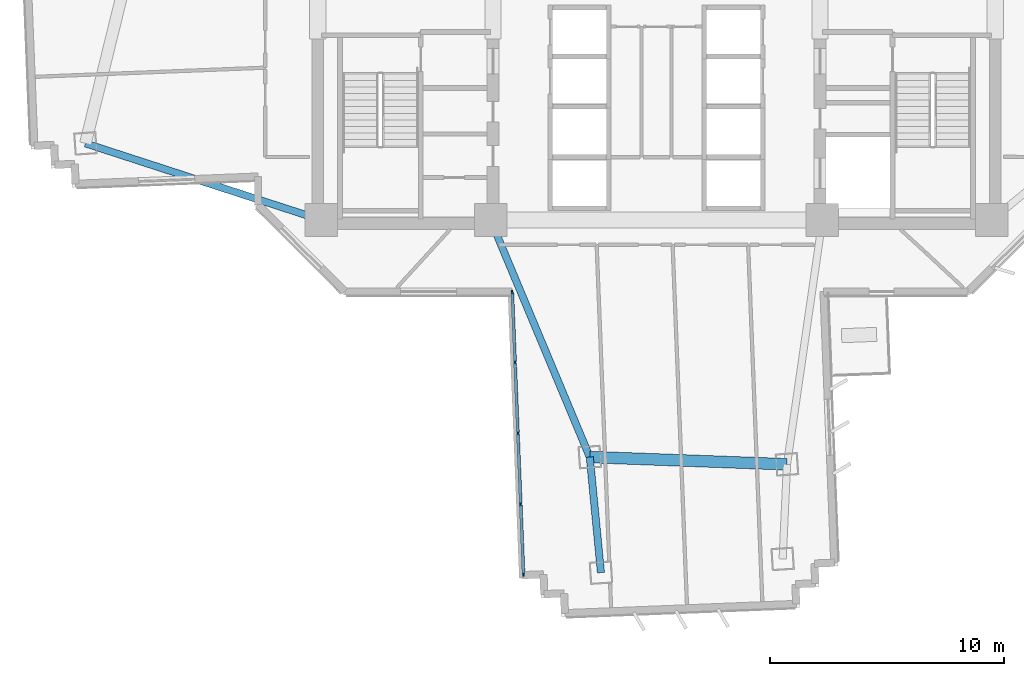
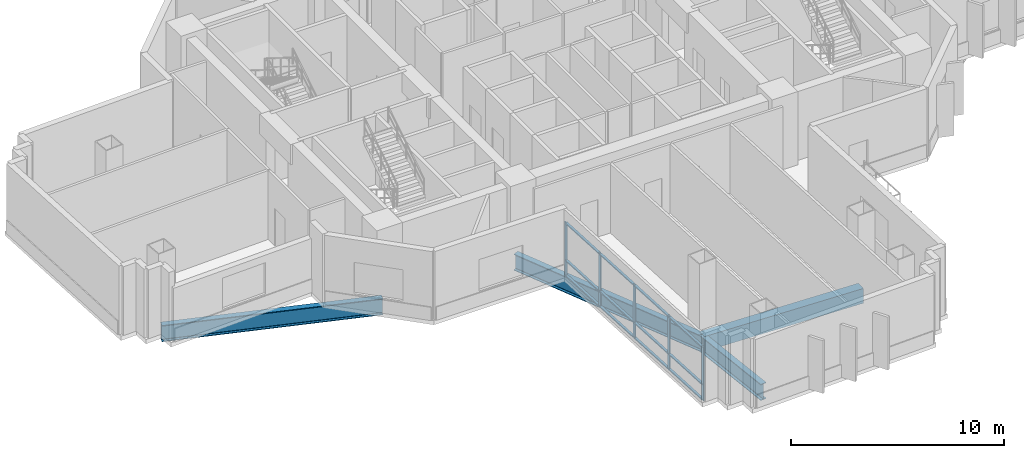
# One storey, part 2 of 16: 17 members, 4 beams, 1 element without a shape of its own.
"""IFC4 building model written with IfcOpenShell, lengths in metres."""

from ifc_helpers import new_model, si_unit, direction, frame, origin, origin_2d, place, context, subcontext, project, spatial, rectangle, i_section, extrude, source, transform, mapped, material, layer, layer_set, material_profile, profile_set, type_object, element, aggregate, save


model = new_model("IFC4")

# Units and contexts
model_context = context("Model", 3, precision=1e-05, world=origin(), true_north=direction((0.0, 1.0)))
body_context = subcontext(model_context, "Body", "Model", "MODEL_VIEW")
ifc_project = project(units=[si_unit("LENGTHUNIT", "METRE"), si_unit("AREAUNIT", "SQUARE_METRE"), si_unit("VOLUMEUNIT", "CUBIC_METRE"), si_unit("PLANEANGLEUNIT", "RADIAN"), si_unit("MASSUNIT", "GRAM", prefix="KILO")], contexts=[model_context])

# Site, building, storey
site_placement = place(None, origin())
site = spatial("IfcSite", under=ifc_project, at=site_placement, CompositionType="ELEMENT")
building_placement = place(site_placement, origin())
building = spatial("IfcBuilding", under=site, at=building_placement, Name="Zahravan Cultural Tower", CompositionType="ELEMENT")
storey_placement = place(building_placement, frame((0.0, 0.0, 62.699951171875)))
storey = spatial("IfcBuildingStorey", under=building, at=storey_placement, Name="L13", CompositionType="ELEMENT", Elevation=62.699951171875)

# Beams
ifc_material_1 = material(Name="Steel ASTM A992 Grade 50", Category="steel")
ifc_material_profile_1 = material_profile(ifc_material_1, i_section(OverallWidth=0.30908203125, OverallDepth=0.931884765625, WebThickness=0.02099609375, FlangeThickness=0.034423828125, FilletRadius=0.02392578125, at=origin_2d()), Name="W36X210")
ifc_profile_set_1 = profile_set([ifc_material_profile_1], Name="Steel ASTM A992 Grade 50")
beam_type_1 = type_object("IfcBeamType", Name="BM-G-W36X210", PredefinedType="BEAM", material=ifc_profile_set_1)
shared_shape_1 = source(origin(), body_context, "Body", "SweptSolid", [
    extrude(i_section(OverallWidth=0.30908203125, OverallDepth=0.931884765625, WebThickness=0.02099609375, FlangeThickness=0.034423828125, FilletRadius=0.02392578125, at=origin_2d()), origin(), (0.0, 0.0, 1.0), 10.615966796875),
])
beam_1_placement = place(storey_placement, frame((21.64990234375, 17.800048828125, -0.716064453125), z_axis=(-0.951063640083, 0.30899506875, 0.0), x_axis=(-0.30899506875, -0.951063640083, 0.0)))
element("IfcBeam", 1, at=beam_1_placement, inside=storey, type_object=beam_type_1, Name="L13 Beam BG-L13-07", PredefinedType="BEAM", context=body_context, shape_type="MappedRepresentation", body=[
    mapped(shared_shape_1, transform((0.0, 0.0, 0.0), x_axis=(1.0, 0.0, 0.0), y_axis=(0.0, 1.0, 0.0), z_axis=(0.0, 0.0, 1.0), scale=1.0)),
])
shared_shape_2 = source(origin(), body_context, "Body", "SweptSolid", [
    extrude(i_section(OverallWidth=0.30908203125, OverallDepth=0.931884765625, WebThickness=0.02099609375, FlangeThickness=0.034423828125, FilletRadius=0.02392578125, at=origin_2d()), origin(), (0.0, 0.0, 1.0), 10.997802734375),
])
beam_2_placement = place(storey_placement, frame((28.89990234375, 17.800048828125, -0.716064453125), z_axis=(0.385775211449, -0.922592806297, 0.0), x_axis=(0.922592806297, 0.385775211449, 0.0)))
element("IfcBeam", 2, at=beam_2_placement, inside=storey, type_object=beam_type_1, Name="L13 Beam BG-L13-08", PredefinedType="BEAM", context=body_context, shape_type="MappedRepresentation", body=[
    mapped(shared_shape_2, transform((0.0, 0.0, 0.0), x_axis=(1.0, 0.0, 0.0), y_axis=(0.0, 1.0, 0.0), z_axis=(0.0, 0.0, 1.0), scale=1.0)),
])
shared_shape_3 = source(origin(), body_context, "Body", "SweptSolid", [
    extrude(i_section(OverallWidth=0.30908203125, OverallDepth=0.931884765625, WebThickness=0.02099609375, FlangeThickness=0.034423828125, FilletRadius=0.02392578125, at=origin_2d()), origin(), (0.0, 0.0, 1.0), 4.973876953125),
])
beam_3_placement = place(storey_placement, frame((33.142578125, 7.653564453125, -0.716064453125), z_axis=(0.096154779131, -0.995366394073, 0.0), x_axis=(0.995366394073, 0.096154779131, 0.0)))
element("IfcBeam", 3, at=beam_3_placement, inside=storey, type_object=beam_type_1, Name="L13 Beam BG-L13-17", PredefinedType="BEAM", context=body_context, shape_type="MappedRepresentation", body=[
    mapped(shared_shape_3, transform((0.0, 0.0, 0.0), x_axis=(1.0, 0.0, 0.0), y_axis=(0.0, 1.0, 0.0), z_axis=(0.0, 0.0, 1.0), scale=1.0)),
])
ifc_material_2 = material(Name="Concrete C50/60", Category="concrete")
ifc_material_profile_2 = material_profile(ifc_material_2, rectangle(XDim=0.5, YDim=0.85009765625, at=origin_2d()), Name="RC500X850")
ifc_profile_set_2 = profile_set([ifc_material_profile_2], Name="Concrete C50/60")
beam_type_2 = type_object("IfcBeamType", Name="BM-SP-RC500X850", PredefinedType="SPANDREL", material=ifc_profile_set_2)
shared_shape_4 = source(origin(), body_context, "Body", "SweptSolid", [
    extrude(rectangle(XDim=0.5, YDim=0.85009765625, at=origin_2d()), origin(), (0.0, 0.0, 1.0), 8.4482421875),
])
beam_4_placement = place(storey_placement, frame((33.142578125, 7.653564453125, -0.675048828125), z_axis=(0.999318826256, -0.036903705643, 0.0), x_axis=(0.036903705643, 0.999318826256, 0.0)))
element("IfcBeam", 4, at=beam_4_placement, inside=storey, type_object=beam_type_2, Name="L13 Beam SP-L13-19", PredefinedType="SPANDREL", context=body_context, shape_type="MappedRepresentation", body=[
    mapped(shared_shape_4, transform((0.0, 0.0, 0.0), x_axis=(1.0, 0.0, 0.0), y_axis=(0.0, 1.0, 0.0), z_axis=(0.0, 0.0, 1.0), scale=1.0)),
])

# Curtain wall, members
ifc_material_3 = material(Name="Anodised bronze-aluminium mullion", Category="aluminium")
ifc_layer = layer(ifc_material_3, 0.1650390625)
ifc_layer_set = layer_set([ifc_layer], Name="Anodised bronze-aluminium mullion")
curtain_wall_type = type_object("IfcCurtainWallType", Name="CW-SYS-4", PredefinedType="USERDEFINED", material=ifc_layer_set)
curtain_wall_placement = place(storey_placement, origin())
curtain_wall = element("IfcCurtainWall", 5, at=curtain_wall_placement, inside=storey, type_object=curtain_wall_type, Name="L13 Recessed Curtain Wall CW-4.1", ObjectType="RECESSED GLAZING", PredefinedType="USERDEFINED")
ifc_material_profile_3 = material_profile(ifc_material_3, rectangle(XDim=0.06494140625, YDim=0.1650390625, at=origin_2d()), Name="AL-M65X165")
ifc_profile_set_3 = profile_set([ifc_material_profile_3], Name="Anodised bronze-aluminium mullion")
member_type_1 = type_object("IfcMemberType", Name="CWM-CW-4", PredefinedType="MULLION", material=ifc_profile_set_3)
shared_shape_5 = source(origin(), body_context, "Body", "SweptSolid", [
    extrude(rectangle(XDim=0.06494140625, YDim=0.1650390625, at=origin_2d()), origin(), (0.0, 0.0, 1.0), 3.070068359375),
])
member_1_placement = place(storey_placement, frame((30.30517578125, 2.626708984375, 0.0), z_axis=(0.0, 0.0, 1.0), x_axis=(-0.99920827504, -0.039784709273, 0.0)))
member_1 = element("IfcMember", 6, at=member_1_placement, type_object=member_type_1, Name="CW-4 mullion 1", PredefinedType="MULLION", context=body_context, shape_type="MappedRepresentation", body=[
    mapped(shared_shape_5, transform((0.0, 0.0, 0.0), x_axis=(1.0, 0.0, 0.0), y_axis=(0.0, 1.0, 0.0), z_axis=(0.0, 0.0, 1.0), scale=1.0)),
])
member_2_placement = place(storey_placement, frame((30.185546875, 5.630615234375, 0.0), z_axis=(0.0, 0.0, 1.0), x_axis=(-0.99920827504, -0.039784709273, 0.0)))
member_2 = element("IfcMember", 7, at=member_2_placement, type_object=member_type_1, Name="CW-4 mullion 2", PredefinedType="MULLION", context=body_context, shape_type="MappedRepresentation", body=[
    mapped(shared_shape_5, transform((0.0, 0.0, 0.0), x_axis=(1.0, 0.0, 0.0), y_axis=(0.0, 1.0, 0.0), z_axis=(0.0, 0.0, 1.0), scale=1.0)),
])
member_3_placement = place(storey_placement, frame((30.064697265625, 8.6669921875, 0.0), z_axis=(0.0, 0.0, 1.0), x_axis=(-0.99920827504, -0.039784709273, 0.0)))
member_3 = element("IfcMember", 8, at=member_3_placement, type_object=member_type_1, Name="CW-4 mullion 3", PredefinedType="MULLION", context=body_context, shape_type="MappedRepresentation", body=[
    mapped(shared_shape_5, transform((0.0, 0.0, 0.0), x_axis=(1.0, 0.0, 0.0), y_axis=(0.0, 1.0, 0.0), z_axis=(0.0, 0.0, 1.0), scale=1.0)),
])
member_4_placement = place(storey_placement, frame((29.943603515625, 11.70361328125, 0.0), z_axis=(0.0, 0.0, 1.0), x_axis=(-0.99920827504, -0.039784709273, 0.0)))
member_4 = element("IfcMember", 9, at=member_4_placement, type_object=member_type_1, Name="CW-4 mullion 4", PredefinedType="MULLION", context=body_context, shape_type="MappedRepresentation", body=[
    mapped(shared_shape_5, transform((0.0, 0.0, 0.0), x_axis=(1.0, 0.0, 0.0), y_axis=(0.0, 1.0, 0.0), z_axis=(0.0, 0.0, 1.0), scale=1.0)),
])
member_5_placement = place(storey_placement, frame((29.823974609375, 14.70751953125, 0.0), z_axis=(0.0, 0.0, 1.0), x_axis=(-0.99920827504, -0.039784709273, 0.0)))
member_5 = element("IfcMember", 10, at=member_5_placement, type_object=member_type_1, Name="CW-4 mullion 5", PredefinedType="MULLION", context=body_context, shape_type="MappedRepresentation", body=[
    mapped(shared_shape_5, transform((0.0, 0.0, 0.0), x_axis=(1.0, 0.0, 0.0), y_axis=(0.0, 1.0, 0.0), z_axis=(0.0, 0.0, 1.0), scale=1.0)),
])
ifc_material_profile_4 = material_profile(ifc_material_3, rectangle(XDim=0.1298828125, YDim=0.06494140625, at=origin_2d()), Name="AL-T65X130")
ifc_profile_set_4 = profile_set([ifc_material_profile_4], Name="Anodised bronze-aluminium mullion")
member_type_2 = type_object("IfcMemberType", Name="CWT-CW-4", PredefinedType="USERDEFINED", material=ifc_profile_set_4)
shared_shape_6 = source(origin(), body_context, "Body", "SweptSolid", [
    extrude(rectangle(XDim=0.1298828125, YDim=0.06494140625, at=origin_2d()), origin(), (0.0, 0.0, 1.0), 2.94140625),
])
member_6_placement = place(storey_placement, frame((30.3037109375, 2.6591796875, 0.032470703125), z_axis=(-0.039759200041, 0.999209290395, 0.0), x_axis=(-0.999209290395, -0.039759200041, 0.0)))
member_6 = element("IfcMember", 11, at=member_6_placement, type_object=member_type_2, Name="CW-4 transom 1.1", ObjectType="TRANSOM", PredefinedType="USERDEFINED", context=body_context, shape_type="MappedRepresentation", body=[
    mapped(shared_shape_6, transform((0.0, 0.0, 0.0), x_axis=(1.0, 0.0, 0.0), y_axis=(0.0, 1.0, 0.0), z_axis=(0.0, 0.0, 1.0), scale=1.0)),
])
member_7_placement = place(storey_placement, frame((30.3037109375, 2.6591796875, 0.900146484375), z_axis=(-0.039759200041, 0.999209290395, 0.0), x_axis=(-0.999209290395, -0.039759200041, 0.0)))
member_7 = element("IfcMember", 12, at=member_7_placement, type_object=member_type_2, Name="CW-4 transom 1.2", ObjectType="TRANSOM", PredefinedType="USERDEFINED", context=body_context, shape_type="MappedRepresentation", body=[
    mapped(shared_shape_6, transform((0.0, 0.0, 0.0), x_axis=(1.0, 0.0, 0.0), y_axis=(0.0, 1.0, 0.0), z_axis=(0.0, 0.0, 1.0), scale=1.0)),
])
member_8_placement = place(storey_placement, frame((30.3037109375, 2.6591796875, 3.03759765625), z_axis=(-0.039759200041, 0.999209290395, 0.0), x_axis=(-0.999209290395, -0.039759200041, 0.0)))
member_8 = element("IfcMember", 13, at=member_8_placement, type_object=member_type_2, Name="CW-4 transom 1.3", ObjectType="TRANSOM", PredefinedType="USERDEFINED", context=body_context, shape_type="MappedRepresentation", body=[
    mapped(shared_shape_6, transform((0.0, 0.0, 0.0), x_axis=(1.0, 0.0, 0.0), y_axis=(0.0, 1.0, 0.0), z_axis=(0.0, 0.0, 1.0), scale=1.0)),
])
member_9_placement = place(storey_placement, frame((29.9423828125, 11.736083984375, 0.032470703125), z_axis=(-0.039759200041, 0.999209290395, 0.0), x_axis=(-0.999209290395, -0.039759200041, 0.0)))
member_9 = element("IfcMember", 14, at=member_9_placement, type_object=member_type_2, Name="CW-4 transom 4.1", ObjectType="TRANSOM", PredefinedType="USERDEFINED", context=body_context, shape_type="MappedRepresentation", body=[
    mapped(shared_shape_6, transform((0.0, 0.0, 0.0), x_axis=(1.0, 0.0, 0.0), y_axis=(0.0, 1.0, 0.0), z_axis=(0.0, 0.0, 1.0), scale=1.0)),
])
member_10_placement = place(storey_placement, frame((29.9423828125, 11.736083984375, 0.900146484375), z_axis=(-0.039759200041, 0.999209290395, 0.0), x_axis=(-0.999209290395, -0.039759200041, 0.0)))
member_10 = element("IfcMember", 15, at=member_10_placement, type_object=member_type_2, Name="CW-4 transom 4.2", ObjectType="TRANSOM", PredefinedType="USERDEFINED", context=body_context, shape_type="MappedRepresentation", body=[
    mapped(shared_shape_6, transform((0.0, 0.0, 0.0), x_axis=(1.0, 0.0, 0.0), y_axis=(0.0, 1.0, 0.0), z_axis=(0.0, 0.0, 1.0), scale=1.0)),
])
member_11_placement = place(storey_placement, frame((29.9423828125, 11.736083984375, 3.03759765625), z_axis=(-0.039759200041, 0.999209290395, 0.0), x_axis=(-0.999209290395, -0.039759200041, 0.0)))
member_11 = element("IfcMember", 16, at=member_11_placement, type_object=member_type_2, Name="CW-4 transom 4.3", ObjectType="TRANSOM", PredefinedType="USERDEFINED", context=body_context, shape_type="MappedRepresentation", body=[
    mapped(shared_shape_6, transform((0.0, 0.0, 0.0), x_axis=(1.0, 0.0, 0.0), y_axis=(0.0, 1.0, 0.0), z_axis=(0.0, 0.0, 1.0), scale=1.0)),
])
shared_shape_7 = source(origin(), body_context, "Body", "SweptSolid", [
    extrude(rectangle(XDim=0.1298828125, YDim=0.06494140625, at=origin_2d()), origin(), (0.0, 0.0, 1.0), 2.973876953125),
])
member_12_placement = place(storey_placement, frame((30.184326171875, 5.6630859375, 0.032470703125), z_axis=(-0.039817220058, 0.999206980053, 0.0), x_axis=(-0.999206980053, -0.039817220058, 0.0)))
member_12 = element("IfcMember", 17, at=member_12_placement, type_object=member_type_2, Name="CW-4 transom 2.1", ObjectType="TRANSOM", PredefinedType="USERDEFINED", context=body_context, shape_type="MappedRepresentation", body=[
    mapped(shared_shape_7, transform((0.0, 0.0, 0.0), x_axis=(1.0, 0.0, 0.0), y_axis=(0.0, 1.0, 0.0), z_axis=(0.0, 0.0, 1.0), scale=1.0)),
])
member_13_placement = place(storey_placement, frame((30.184326171875, 5.6630859375, 0.900146484375), z_axis=(-0.039817220058, 0.999206980053, 0.0), x_axis=(-0.999206980053, -0.039817220058, 0.0)))
member_13 = element("IfcMember", 18, at=member_13_placement, type_object=member_type_2, Name="CW-4 transom 2.2", ObjectType="TRANSOM", PredefinedType="USERDEFINED", context=body_context, shape_type="MappedRepresentation", body=[
    mapped(shared_shape_7, transform((0.0, 0.0, 0.0), x_axis=(1.0, 0.0, 0.0), y_axis=(0.0, 1.0, 0.0), z_axis=(0.0, 0.0, 1.0), scale=1.0)),
])
member_14_placement = place(storey_placement, frame((30.184326171875, 5.6630859375, 3.03759765625), z_axis=(-0.039817220058, 0.999206980053, 0.0), x_axis=(-0.999206980053, -0.039817220058, 0.0)))
member_14 = element("IfcMember", 19, at=member_14_placement, type_object=member_type_2, Name="CW-4 transom 2.3", ObjectType="TRANSOM", PredefinedType="USERDEFINED", context=body_context, shape_type="MappedRepresentation", body=[
    mapped(shared_shape_7, transform((0.0, 0.0, 0.0), x_axis=(1.0, 0.0, 0.0), y_axis=(0.0, 1.0, 0.0), z_axis=(0.0, 0.0, 1.0), scale=1.0)),
])
shared_shape_8 = source(origin(), body_context, "Body", "SweptSolid", [
    extrude(rectangle(XDim=0.1298828125, YDim=0.06494140625, at=origin_2d()), origin(), (0.0, 0.0, 1.0), 2.97412109375),
])
member_15_placement = place(storey_placement, frame((30.063232421875, 8.699462890625, 0.032470703125), z_axis=(-0.039731993127, 0.999210372605, 0.0), x_axis=(-0.999210372605, -0.039731993127, 0.0)))
member_15 = element("IfcMember", 20, at=member_15_placement, type_object=member_type_2, Name="CW-4 transom 3.1", ObjectType="TRANSOM", PredefinedType="USERDEFINED", context=body_context, shape_type="MappedRepresentation", body=[
    mapped(shared_shape_8, transform((0.0, 0.0, 0.0), x_axis=(1.0, 0.0, 0.0), y_axis=(0.0, 1.0, 0.0), z_axis=(0.0, 0.0, 1.0), scale=1.0)),
])
member_16_placement = place(storey_placement, frame((30.063232421875, 8.699462890625, 0.900146484375), z_axis=(-0.039731993127, 0.999210372605, 0.0), x_axis=(-0.999210372605, -0.039731993127, 0.0)))
member_16 = element("IfcMember", 21, at=member_16_placement, type_object=member_type_2, Name="CW-4 transom 3.2", ObjectType="TRANSOM", PredefinedType="USERDEFINED", context=body_context, shape_type="MappedRepresentation", body=[
    mapped(shared_shape_8, transform((0.0, 0.0, 0.0), x_axis=(1.0, 0.0, 0.0), y_axis=(0.0, 1.0, 0.0), z_axis=(0.0, 0.0, 1.0), scale=1.0)),
])
member_17_placement = place(storey_placement, frame((30.063232421875, 8.699462890625, 3.03759765625), z_axis=(-0.039731993127, 0.999210372605, 0.0), x_axis=(-0.999210372605, -0.039731993127, 0.0)))
member_17 = element("IfcMember", 22, at=member_17_placement, type_object=member_type_2, Name="CW-4 transom 3.3", ObjectType="TRANSOM", PredefinedType="USERDEFINED", context=body_context, shape_type="MappedRepresentation", body=[
    mapped(shared_shape_8, transform((0.0, 0.0, 0.0), x_axis=(1.0, 0.0, 0.0), y_axis=(0.0, 1.0, 0.0), z_axis=(0.0, 0.0, 1.0), scale=1.0)),
])
aggregate(curtain_wall, [member_1, member_2, member_3, member_4, member_5, member_6, member_7, member_8, member_12, member_13, member_14, member_15, member_16, member_17, member_9, member_10, member_11])

save(model, "model.ifc")
